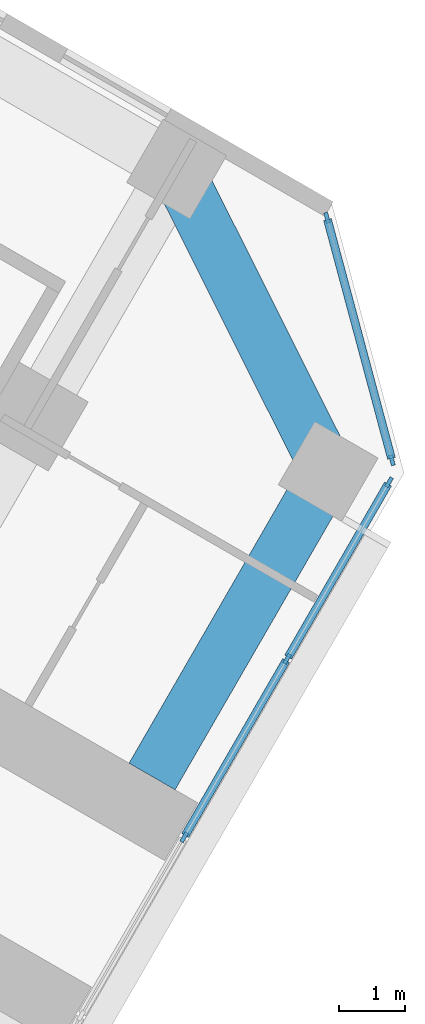
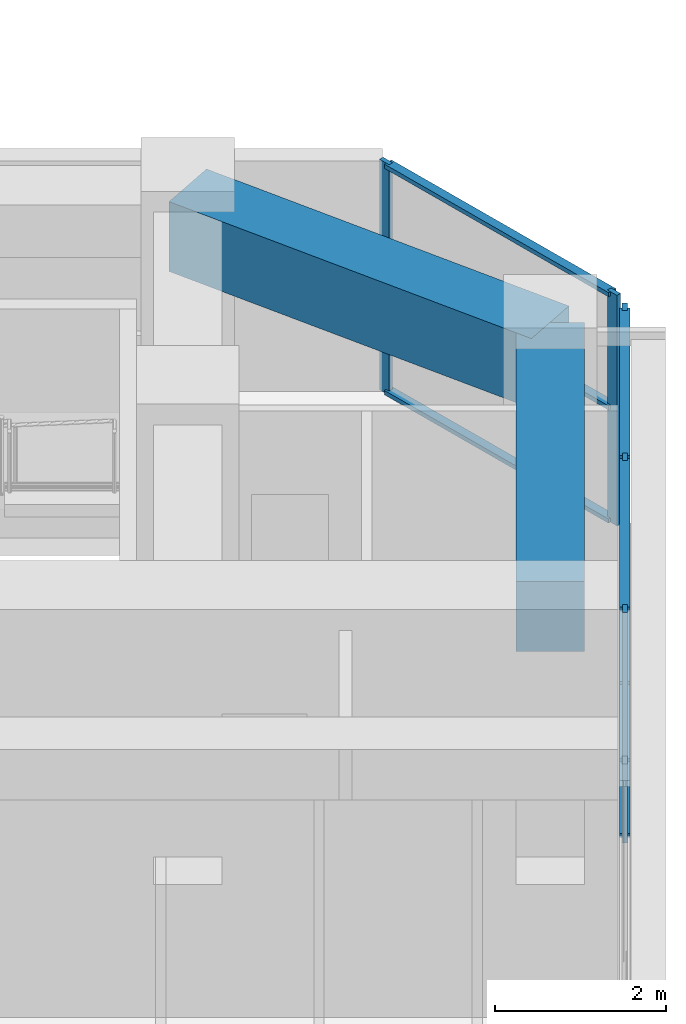
# One storey, part 8 of 21: 12 members, 2 beams, 2 elements without a shape of their own.
"""IFC4 building model written with IfcOpenShell, lengths in metres."""

import ifcopenshell
import ifcopenshell.guid

model = None  # the IFC model being written
_history = None  # IfcOwnerHistory: only IFC2X3 demands one
_inside = {}  # id of a spatial element -> (the spatial element, [elements in it])
_under = {}  # id of a project, library or spatial element -> (it, [spatial elements below it])
_declared = {}  # id of a project -> (the project, [libraries it declares])
_typed = {}  # id of a type object -> (the type object, [elements of that type])
_made_of = {}  # id of a material, layer set ... -> (it, [elements and type objects made of it])


def new_model(schema):
    """Start an empty IFC model of exactly this schema.

    Asked for "IFC4X3", IfcOpenShell would pick the latest addendum, in which some entities
    have other attributes; the version numbers below select the first issue.
    IFC2X3 requires an IfcOwnerHistory on every rooted entity: one is made here for all.
    """
    global model, _history
    if schema == "IFC4X3":
        model = ifcopenshell.file(schema_version=(4, 3, 0, 0))
    else:
        model = ifcopenshell.file(schema=schema)
    _inside.clear()
    _under.clear()
    _declared.clear()
    _typed.clear()
    _made_of.clear()
    _history = None
    if model.schema == "IFC2X3":
        org = make("IfcOrganization", Name="unknown")
        user = make(
            "IfcPersonAndOrganization",
            ThePerson=make("IfcPerson", FamilyName="unknown"),
            TheOrganization=org,
        )
        app = make(
            "IfcApplication",
            ApplicationDeveloper=org,
            Version="unknown",
            ApplicationFullName="unknown",
            ApplicationIdentifier="unknown",
        )
        _history = make(
            "IfcOwnerHistory",
            OwningUser=user,
            OwningApplication=app,
            ChangeAction="ADDED",
            CreationDate=0,
        )
    return model


def make(cls, **values):
    """One entity of the class cls with the attributes given. An attribute that is None is left unset."""
    return model.create_entity(
        cls, **{name: value for name, value in values.items() if value is not None}
    )


def rooted(cls, **values):
    """An entity with a GlobalId (a new one), such as an element, a storey or a relation."""
    return make(cls, GlobalId=ifcopenshell.guid.new(), OwnerHistory=_history, **values)


def si_unit(unit_type, name, prefix=None):
    """IfcSIUnit, for example si_unit("LENGTHUNIT", "METRE", prefix="MILLI")."""
    return make("IfcSIUnit", UnitType=unit_type, Prefix=prefix, Name=name)


def assignment(units):
    """IfcUnitAssignment: the units of a project."""
    return None if units is None else make("IfcUnitAssignment", Units=units)


def point(xyz):
    """IfcCartesianPoint."""
    return None if xyz is None else make("IfcCartesianPoint", Coordinates=xyz)


def direction(xyz):
    """IfcDirection."""
    return None if xyz is None else make("IfcDirection", DirectionRatios=xyz)


def frame(location, z_axis=None, x_axis=None):
    """IfcAxis2Placement3D, a coordinate frame: its origin and axes. An axis left out is left unset."""
    return make(
        "IfcAxis2Placement3D",
        Location=point(location),
        Axis=direction(z_axis),
        RefDirection=direction(x_axis),
    )


def frame_2d(location, x_axis=None):
    """IfcAxis2Placement2D, a coordinate frame in the plane: its origin and x axis."""
    return make(
        "IfcAxis2Placement2D", Location=point(location), RefDirection=direction(x_axis)
    )


def origin():
    """The frame at (0, 0, 0) with its axes left unset."""
    return frame((0.0, 0.0, 0.0))


def origin_2d():
    """The frame at (0, 0) in the plane with its x axis left unset."""
    return frame_2d((0.0, 0.0))


def place(relative_to, where):
    """IfcLocalPlacement: puts the frame where relative to a parent placement (None: the world)."""
    return make(
        "IfcLocalPlacement", PlacementRelTo=relative_to, RelativePlacement=where
    )


def context(
    kind, dimensions, precision=None, world=None, true_north=None, identifier=None
):
    """IfcGeometricRepresentationContext, for example the 3D "Model" context."""
    return make(
        "IfcGeometricRepresentationContext",
        ContextIdentifier=identifier,
        ContextType=kind,
        CoordinateSpaceDimension=dimensions,
        Precision=precision,
        WorldCoordinateSystem=world,
        TrueNorth=true_north,
    )


def subcontext(parent, identifier, kind, view, scale=None):
    """IfcGeometricRepresentationSubContext, for example "Body" below "Model"."""
    return make(
        "IfcGeometricRepresentationSubContext",
        ContextIdentifier=identifier,
        ContextType=kind,
        ParentContext=parent,
        TargetScale=scale,
        TargetView=view,
    )


def project(units=None, contexts=None):
    """IfcProject with its units and contexts."""
    return rooted(
        "IfcProject",
        Name="project",
        RepresentationContexts=contexts,
        UnitsInContext=assignment(units),
    )


def spatial(cls, under=None, at=None, **own):
    """A site, building, storey or space (cls), placed at a placement, below another one or the project."""
    s = rooted(cls, ObjectPlacement=at, **own)
    if under is not None:
        _under.setdefault(under.id(), (under, []))[1].append(s)
    return s


def profile(cls, at=None, kind="AREA", **sizes):
    """A parametric profile (cls). Its sizes go by their IFC names, for example OverallWidth=200.0."""
    return make(cls, ProfileType=kind, Position=at, **sizes)


def rectangle(**sizes):
    """IfcRectangleProfileDef."""
    return profile("IfcRectangleProfileDef", **sizes)


def extrude(swept, where, along, depth):
    """IfcExtrudedAreaSolid: the profile swept, set in the frame where, extruded along a direction by depth."""
    return make(
        "IfcExtrudedAreaSolid",
        SweptArea=swept,
        Position=where,
        ExtrudedDirection=direction(along),
        Depth=depth,
    )


def shape(context_of_items, identifier, shape_type, items):
    """IfcShapeRepresentation: the items that make up one representation, for example the "Body"."""
    return make(
        "IfcShapeRepresentation",
        ContextOfItems=context_of_items,
        RepresentationIdentifier=identifier,
        RepresentationType=shape_type,
        Items=items,
    )


def material(Name=None, Category=None):
    """IfcMaterial."""
    return make("IfcMaterial", Name=Name, Category=Category)


def material_profile(
    of_material, cross_section, Name=None, Category=None, Priority=None
):
    """IfcMaterialProfile: a cross section and its material."""
    return make(
        "IfcMaterialProfile",
        Name=Name,
        Material=of_material,
        Profile=cross_section,
        Priority=Priority,
        Category=Category,
    )


def profile_set(profiles, Name=None, composite=None):
    """IfcMaterialProfileSet."""
    return make(
        "IfcMaterialProfileSet",
        Name=Name,
        MaterialProfiles=profiles,
        CompositeProfile=composite,
    )


def made_of(thing, what):
    """Note that an element or type object is made of a material, layer set ...; save() writes the relation."""
    if what is not None:
        _made_of.setdefault(what.id(), (what, []))[1].append(thing)
    return thing


def type_object(cls, material=None, **own):
    """A type object (cls), such as IfcWallType, which elements share."""
    return made_of(rooted(cls, **own), material)


def element(
    cls,
    number,
    at=None,
    inside=None,
    cuts=None,
    type_object=None,
    material=None,
    context=None,
    identifier="Body",
    shape_type=None,
    held_by="IfcProductDefinitionShape",
    body=None,
    shapes=None,
    **own,
):
    """One element of the class cls, such as IfcWall. Its Tag is "e" and its number.

    at: its placement. inside: the storey or other place that contains it. cuts: it is an
    opening in that element (IfcRelVoidsElement). A single representation is given by context,
    identifier, shape_type and body (its items); several are given by shapes. held_by: the class
    of the entity that holds the representations. save() writes the other relations.
    """
    e = rooted(cls, Tag="e%d" % number, ObjectPlacement=at, **own)
    if body is not None:
        shapes = [shape(context, identifier, shape_type, body)]
    if shapes is not None:
        e.Representation = make(held_by, Representations=shapes)
    if inside is not None:
        _inside.setdefault(inside.id(), (inside, []))[1].append(e)
    if cuts is not None:
        rooted(
            "IfcRelVoidsElement", RelatingBuildingElement=cuts, RelatedOpeningElement=e
        )
    if type_object is not None:
        _typed.setdefault(type_object.id(), (type_object, []))[1].append(e)
    return made_of(e, material)


def aggregate(whole, parts):
    """IfcRelAggregates: a whole, such as a stair, and the parts it consists of."""
    return rooted("IfcRelAggregates", RelatingObject=whole, RelatedObjects=parts)


def save(model, path):
    """Write the relations noted so far, then the file.

    IfcRelAggregates (storeys below a building ...), IfcRelContainedInSpatialStructure (elements
    in a storey), IfcRelDefinesByType, IfcRelAssociatesMaterial and IfcRelDeclares: one each for
    every whole, place, type object, material and project.
    """
    for whole, parts in _under.values():
        aggregate(whole, parts)
    for where, things in _inside.values():
        rooted(
            "IfcRelContainedInSpatialStructure",
            RelatedElements=things,
            RelatingStructure=where,
        )
    for kind, things in _typed.values():
        rooted("IfcRelDefinesByType", RelatedObjects=things, RelatingType=kind)
    for what, things in _made_of.values():
        rooted("IfcRelAssociatesMaterial", RelatedObjects=things, RelatingMaterial=what)
    for by, libraries in _declared.values():
        rooted("IfcRelDeclares", RelatingContext=by, RelatedDefinitions=libraries)
    model.write(path)


model = new_model("IFC4")

# Units and contexts
model_context = context("Model", 3, precision=1e-05, world=origin(), true_north=direction((0.0, 1.0)))
body_context = subcontext(model_context, "Body", "Model", "MODEL_VIEW")
ifc_project = project(units=[si_unit("LENGTHUNIT", "METRE"), si_unit("AREAUNIT", "SQUARE_METRE"), si_unit("VOLUMEUNIT", "CUBIC_METRE"), si_unit("PLANEANGLEUNIT", "RADIAN"), si_unit("MASSUNIT", "GRAM", prefix="KILO")], contexts=[model_context])

# Site, building, storey
site_placement = place(None, origin())
site = spatial("IfcSite", under=ifc_project, at=site_placement, CompositionType="ELEMENT")
building_placement = place(site_placement, origin())
building = spatial("IfcBuilding", under=site, at=building_placement, Name="Kosmar Iwan School Tower", CompositionType="ELEMENT")
storey_placement = place(building_placement, frame((0.0, 0.0, 28.800048828125)))
storey = spatial("IfcBuildingStorey", under=building, at=storey_placement, Name="L06", CompositionType="ELEMENT", Elevation=28.800048828125)

# Beams
ifc_material_1 = material(Name="Concrete C50/60", Category="concrete")
ifc_material_profile_1 = material_profile(ifc_material_1, rectangle(XDim=0.800048828125, YDim=1.0, at=origin_2d()), Name="RC 800x1000 + HD 400x347")
ifc_profile_set_1 = profile_set([ifc_material_profile_1], Name="Concrete C50/60")
beam_type = type_object("IfcBeamType", Name="Composite tip beam 800x1000 HD 400x347", PredefinedType="BEAM", material=ifc_profile_set_1)
beam_1_placement = place(storey_placement, frame((30.517822265625, -5.841552734375, 2.800048828125), z_axis=(0.44809604203, -0.893985423325, 0.0), x_axis=(0.893985423325, 0.44809604203, 0.0)))
element("IfcBeam", 1, at=beam_1_placement, inside=storey, type_object=beam_type, Name="Tip beam CL", PredefinedType="BEAM", context=body_context, shape_type="SweptSolid", body=[
    extrude(rectangle(XDim=0.800048828125, YDim=1.0, at=origin_2d()), origin(), (0.0, 0.0, 1.0), 5.08935546875),
])
beam_2_placement = place(storey_placement, frame((32.79833984375, -10.391357421875, 2.800048828125), z_axis=(-0.499973660256, -0.866040610509, 0.0), x_axis=(0.866040610509, -0.499973660256, 0.0)))
element("IfcBeam", 2, at=beam_2_placement, inside=storey, type_object=beam_type, Name="Tip beam CL to corridor wall", PredefinedType="BEAM", context=body_context, shape_type="SweptSolid", body=[
    extrude(rectangle(XDim=0.800048828125, YDim=1.0, at=origin_2d()), origin(), (0.0, 0.0, 1.0), 5.300048828125),
])

# Curtain wall, members
ifc_material_2 = material(Name="Dark glass in black aluminium frame", Category="aluminium")
curtain_wall_type_1 = type_object("IfcCurtainWallType", Name="Tower curtain wall dark glass", PredefinedType="USERDEFINED", material=ifc_material_2)
curtain_wall_1_placement = place(storey_placement, origin())
curtain_wall_1 = element("IfcCurtainWall", 3, at=curtain_wall_1_placement, inside=storey, type_object=curtain_wall_type_1, Name="Curtain wall L06-F03", ObjectType="UNITISED CURTAIN WALL", PredefinedType="USERDEFINED")
ifc_material_3 = material(Name="Black anodised aluminium", Category="aluminium")
ifc_material_profile_2 = material_profile(ifc_material_3, rectangle(XDim=0.06005859375, YDim=0.159912109375, at=origin_2d()), Name="MULLION 60x160")
ifc_profile_set_2 = profile_set([ifc_material_profile_2], Name="Black anodised aluminium")
member_type_1 = type_object("IfcMemberType", Name="Mullion 60x160", PredefinedType="MULLION", material=ifc_profile_set_2)
member_1_placement = place(storey_placement, frame((30.631103515625, -15.8955078125, 0.0), z_axis=(0.0, 0.0, 1.0), x_axis=(-0.866025405329, 0.499999997325, 0.0)))
member_1 = element("IfcMember", 4, at=member_1_placement, type_object=member_type_1, Name="CW1 mullion 4", PredefinedType="MULLION", context=body_context, shape_type="SweptSolid", body=[
    extrude(rectangle(XDim=0.06005859375, YDim=0.159912109375, at=origin_2d()), origin(), (0.0, 0.0, 1.0), 3.300048828125),
])
member_2_placement = place(storey_placement, frame((32.1806640625, -13.21142578125, 0.0), z_axis=(0.0, 0.0, 1.0), x_axis=(-0.866025405329, 0.499999997325, 0.0)))
member_2 = element("IfcMember", 5, at=member_2_placement, type_object=member_type_1, Name="CW1 mullion 5", PredefinedType="MULLION", context=body_context, shape_type="SweptSolid", body=[
    extrude(rectangle(XDim=0.06005859375, YDim=0.159912109375, at=origin_2d()), origin(), (0.0, 0.0, 1.0), 3.300048828125),
])
member_3_placement = place(storey_placement, frame((33.71533203125, -10.55322265625, 0.0), z_axis=(0.0, 0.0, 1.0), x_axis=(-0.866025405329, 0.499999997325, 0.0)))
member_3 = element("IfcMember", 6, at=member_3_placement, type_object=member_type_1, Name="CW1 mullion 6", PredefinedType="MULLION", context=body_context, shape_type="SweptSolid", body=[
    extrude(rectangle(XDim=0.06005859375, YDim=0.159912109375, at=origin_2d()), origin(), (0.0, 0.0, 1.0), 3.300048828125),
])

ifc_material_4 = material(Name="Dark glass in black aluminium frame", Category="aluminium")
curtain_wall_type_2 = type_object("IfcCurtainWallType", Name="Chamfer curtain wall dark glass", PredefinedType="USERDEFINED", material=ifc_material_4)
curtain_wall_2_placement = place(storey_placement, origin())
curtain_wall_2 = element("IfcCurtainWall", 7, at=curtain_wall_2_placement, inside=storey, type_object=curtain_wall_type_2, Name="Curtain wall L06-F04", ObjectType="FACETED CURTAIN WALL", PredefinedType="USERDEFINED")
member_4_placement = place(storey_placement, frame((33.7587890625, -10.2236328125, 0.0), z_axis=(0.0, 0.0, 1.0), x_axis=(-0.965925875495, -0.258818861462, 0.0)))
member_4 = element("IfcMember", 8, at=member_4_placement, type_object=member_type_1, Name="CW2 mullion 1", PredefinedType="MULLION", context=body_context, shape_type="SweptSolid", body=[
    extrude(rectangle(XDim=0.06005859375, YDim=0.159912109375, at=origin_2d()), origin(), (0.0, 0.0, 1.0), 3.300048828125),
])
member_5_placement = place(storey_placement, frame((32.78076171875, -6.5732421875, 0.0), z_axis=(0.0, 0.0, 1.0), x_axis=(-0.965925875495, -0.258818861462, 0.0)))
member_5 = element("IfcMember", 9, at=member_5_placement, type_object=member_type_1, Name="CW2 mullion 2", PredefinedType="MULLION", context=body_context, shape_type="SweptSolid", body=[
    extrude(rectangle(XDim=0.06005859375, YDim=0.159912109375, at=origin_2d()), origin(), (0.0, 0.0, 1.0), 3.300048828125),
])

# Member
ifc_material_5 = material(Name="Black anodised aluminium", Category="aluminium")
ifc_material_profile_3 = material_profile(ifc_material_5, rectangle(XDim=0.1201171875, YDim=0.06005859375, at=origin_2d()), Name="TRANSOM 60x120")
ifc_profile_set_3 = profile_set([ifc_material_profile_3], Name="Black anodised aluminium")
member_type_2 = type_object("IfcMemberType", Name="Transom 60x120", PredefinedType="USERDEFINED", material=ifc_profile_set_3)
member_6_placement = place(storey_placement, frame((30.64599609375, -15.869384765625, 0.030029296875), z_axis=(0.500035348339, 0.866004994449, 0.0), x_axis=(-0.866004994449, 0.500035348339, 0.0)))
member_6 = element("IfcMember", 10, at=member_6_placement, type_object=member_type_2, Name="CW1 transom 4.1", ObjectType="TRANSOM", PredefinedType="USERDEFINED", context=body_context, shape_type="SweptSolid", body=[
    extrude(rectangle(XDim=0.1201171875, YDim=0.06005859375, at=origin_2d()), origin(), (0.0, 0.0, 1.0), 3.039306640625),
])

member_7_placement = place(storey_placement, frame((30.64599609375, -15.869384765625, 3.27001953125), z_axis=(0.500035348339, 0.866004994449, 0.0), x_axis=(-0.866004994449, 0.500035348339, 0.0)))
member_7 = element("IfcMember", 11, at=member_7_placement, type_object=member_type_2, Name="CW1 transom 4.2", ObjectType="TRANSOM", PredefinedType="USERDEFINED", context=body_context, shape_type="SweptSolid", body=[
    extrude(rectangle(XDim=0.1201171875, YDim=0.06005859375, at=origin_2d()), origin(), (0.0, 0.0, 1.0), 3.039306640625),
])

member_8_placement = place(storey_placement, frame((32.19580078125, -13.185302734375, 0.030029296875), z_axis=(0.500022102064, 0.866012642776, 0.0), x_axis=(-0.866012642776, 0.500022102064, 0.0)))
member_8 = element("IfcMember", 12, at=member_8_placement, type_object=member_type_2, Name="CW1 transom 5.1", ObjectType="TRANSOM", PredefinedType="USERDEFINED", context=body_context, shape_type="SweptSolid", body=[
    extrude(rectangle(XDim=0.1201171875, YDim=0.06005859375, at=origin_2d()), origin(), (0.0, 0.0, 1.0), 3.009033203125),
])

member_9_placement = place(storey_placement, frame((32.19580078125, -13.185302734375, 3.27001953125), z_axis=(0.500022102064, 0.866012642776, 0.0), x_axis=(-0.866012642776, 0.500022102064, 0.0)))
member_9 = element("IfcMember", 13, at=member_9_placement, type_object=member_type_2, Name="CW1 transom 5.2", ObjectType="TRANSOM", PredefinedType="USERDEFINED", context=body_context, shape_type="SweptSolid", body=[
    extrude(rectangle(XDim=0.1201171875, YDim=0.06005859375, at=origin_2d()), origin(), (0.0, 0.0, 1.0), 3.009033203125),
])

aggregate(curtain_wall_1, [member_1, member_2, member_3, member_6, member_7, member_8, member_9])

member_10_placement = place(storey_placement, frame((33.7509765625, -10.194580078125, 0.030029296875), z_axis=(-0.258843273983, 0.965919333854, 0.0), x_axis=(-0.965919333854, -0.258843273983, 0.0)))
member_10 = element("IfcMember", 14, at=member_10_placement, type_object=member_type_2, Name="CW2 transom 1.1", ObjectType="TRANSOM", PredefinedType="USERDEFINED", context=body_context, shape_type="SweptSolid", body=[
    extrude(rectangle(XDim=0.1201171875, YDim=0.06005859375, at=origin_2d()), origin(), (0.0, 0.0, 1.0), 3.718994140625),
])

member_11_placement = place(storey_placement, frame((33.7509765625, -10.194580078125, 1.64990234375), z_axis=(-0.258843273983, 0.965919333854, 0.0), x_axis=(-0.965919333854, -0.258843273983, 0.0)))
member_11 = element("IfcMember", 15, at=member_11_placement, type_object=member_type_2, Name="CW2 transom 1.2", ObjectType="TRANSOM", PredefinedType="USERDEFINED", context=body_context, shape_type="SweptSolid", body=[
    extrude(rectangle(XDim=0.1201171875, YDim=0.06005859375, at=origin_2d()), origin(), (0.0, 0.0, 1.0), 3.718994140625),
])

member_12_placement = place(storey_placement, frame((33.7509765625, -10.194580078125, 3.27001953125), z_axis=(-0.258843273983, 0.965919333854, 0.0), x_axis=(-0.965919333854, -0.258843273983, 0.0)))
member_12 = element("IfcMember", 16, at=member_12_placement, type_object=member_type_2, Name="CW2 transom 1.3", ObjectType="TRANSOM", PredefinedType="USERDEFINED", context=body_context, shape_type="SweptSolid", body=[
    extrude(rectangle(XDim=0.1201171875, YDim=0.06005859375, at=origin_2d()), origin(), (0.0, 0.0, 1.0), 3.718994140625),
])

aggregate(curtain_wall_2, [member_4, member_5, member_10, member_11, member_12])

save(model, "model.ifc")
